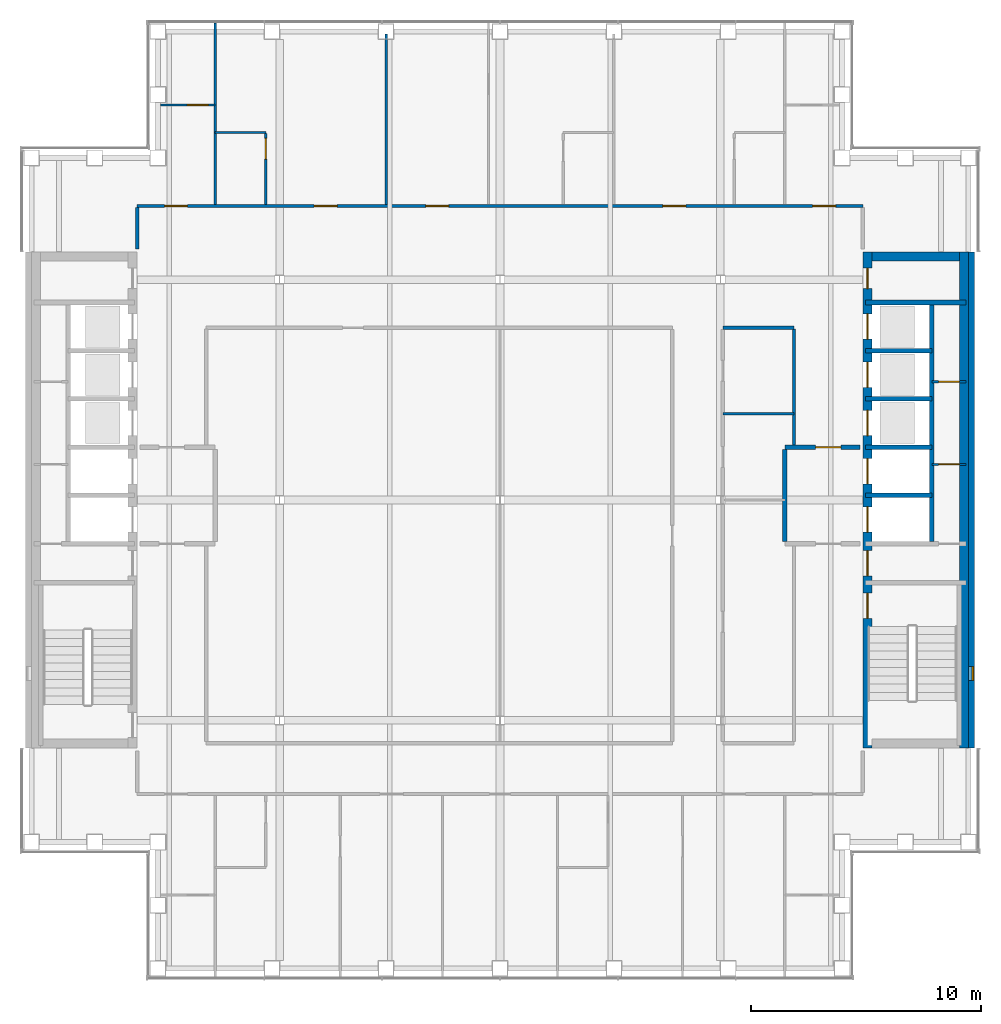
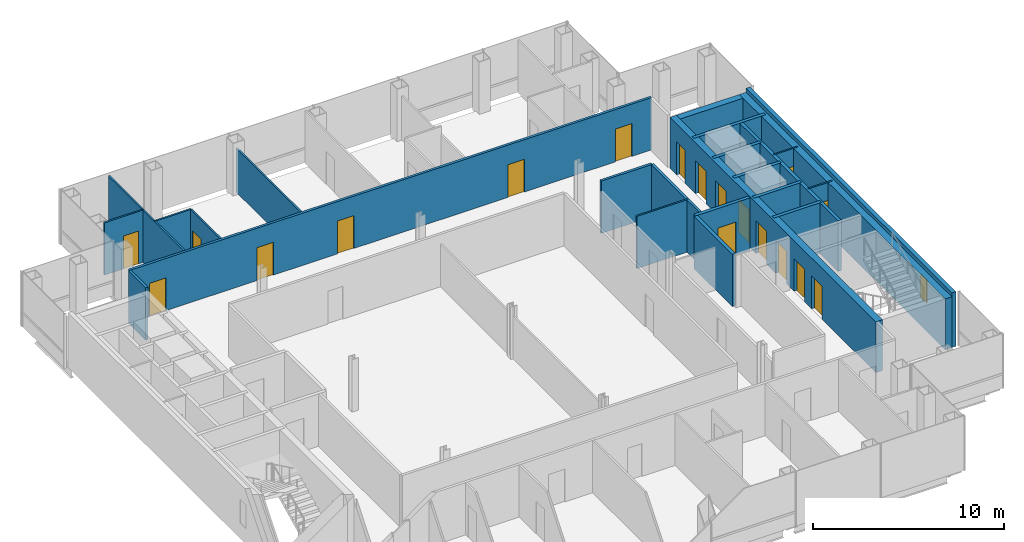
# One storey, part 12 of 15: 24 walls, 18 doors, 1 window, 19 openings.
"""IFC4 building model written with IfcOpenShell, lengths in metres."""

from ifc_helpers import new_model, si_unit, direction, frame, frame_2d, origin, place, context, subcontext, project, spatial, rectangle, extrude, material, layer, layer_set, type_object, element, fill, save


model = new_model("IFC4")

# Units and contexts
model_context = context("Model", 3, precision=1e-05, world=origin(), true_north=direction((0.0, 1.0)))
body_context = subcontext(model_context, "Body", "Model", "MODEL_VIEW")
ifc_project = project(units=[si_unit("LENGTHUNIT", "METRE"), si_unit("AREAUNIT", "SQUARE_METRE"), si_unit("VOLUMEUNIT", "CUBIC_METRE"), si_unit("PLANEANGLEUNIT", "RADIAN"), si_unit("MASSUNIT", "GRAM", prefix="KILO")], contexts=[model_context])

# Site, building, storey
site_placement = place(None, origin())
site = spatial("IfcSite", under=ifc_project, at=site_placement, CompositionType="ELEMENT")
building_placement = place(site_placement, origin())
building = spatial("IfcBuilding", under=site, at=building_placement, Name="Cobrizo Arcos Hotel Tower", CompositionType="ELEMENT")
storey_placement = place(building_placement, frame((0.0, 0.0, 194.5)))
storey = spatial("IfcBuildingStorey", under=building, at=storey_placement, Name="L50", CompositionType="ELEMENT", Elevation=194.5)

# Wall
ifc_material_1 = material(Name="Gypsum board partition")
ifc_layer_1 = layer(ifc_material_1, 0.14990234375)
ifc_layer_set_1 = layer_set([ifc_layer_1], Name="Corridor wall EI 60 150")
wall_type_1 = type_object("IfcWallType", Name="Corridor wall EI 60 150", PredefinedType="PARTITIONING", material=ifc_layer_set_1)
wall_1_placement = place(storey_placement, frame((9.699951171875, 7.5, 0.0), z_axis=(0.0, 0.0, 1.0), x_axis=(1.0, 0.0, 0.0)))
element("IfcWall", 1, at=wall_1_placement, inside=storey, type_object=wall_type_1, Name="Partition 031", PredefinedType="PARTITIONING", context=body_context, shape_type="SweptSolid", body=[
    extrude(rectangle(XDim=3.10009765625, YDim=0.14990234375, at=frame_2d((1.550048828125, 0.0))), origin(), (0.0, 0.0, 1.0), 3.35009765625),
])

# Wall, openings, doors
wall_2_placement = place(storey_placement, frame((-15.800048828125, 12.800048828125, 0.0), z_axis=(0.0, 0.0, 1.0), x_axis=(1.0, 0.0, 0.0)))
wall_2 = element("IfcWall", 2, at=wall_2_placement, inside=storey, type_object=wall_type_1, Name="Partition 034", PredefinedType="PARTITIONING", context=body_context, shape_type="SweptSolid", body=[
    extrude(rectangle(XDim=31.60009765625, YDim=0.14990234375, at=frame_2d((15.800048828125, 0.0))), origin(), (0.0, 0.0, 1.0), 3.35009765625),
])
opening_1_placement = place(wall_2_placement, frame((7.7080078125, 0.0, 0.0)))
opening_1 = element("IfcOpeningElement", 3, at=opening_1_placement, cuts=wall_2, Name="Opening GD-01", PredefinedType="OPENING", context=body_context, shape_type="SweptSolid", body=[
    extrude(rectangle(XDim=1.0, YDim=2.10009765625, at=frame_2d((0.5, 1.050048828125))), frame((0.0, 0.0869140625, 0.0), z_axis=(0.0, -1.0, 0.0), x_axis=(1.0, 0.0, 0.0)), (0.0, 0.0, 1.0), 0.173828125),
])
opening_2_placement = place(wall_2_placement, frame((12.568115234375, 0.0, 0.0)))
opening_2 = element("IfcOpeningElement", 4, at=opening_2_placement, cuts=wall_2, Name="Opening GD-02", PredefinedType="OPENING", context=body_context, shape_type="SweptSolid", body=[
    extrude(rectangle(XDim=1.0, YDim=2.10009765625, at=frame_2d((0.5, 1.050048828125))), frame((0.0, 0.0869140625, 0.0), z_axis=(0.0, -1.0, 0.0), x_axis=(1.0, 0.0, 0.0)), (0.0, 0.0, 1.0), 0.173828125),
])
opening_3_placement = place(wall_2_placement, frame((22.89208984375, 0.0, 0.0)))
opening_3 = element("IfcOpeningElement", 5, at=opening_3_placement, cuts=wall_2, Name="Opening GD-03", PredefinedType="OPENING", context=body_context, shape_type="SweptSolid", body=[
    extrude(rectangle(XDim=1.0, YDim=2.10009765625, at=frame_2d((0.5, 1.050048828125))), frame((0.0, 0.0869140625, 0.0), z_axis=(0.0, -1.0, 0.0), x_axis=(1.0, 0.0, 0.0)), (0.0, 0.0, 1.0), 0.173828125),
])
opening_4_placement = place(wall_2_placement, frame((1.19189453125, 0.0, 0.0)))
opening_4 = element("IfcOpeningElement", 6, at=opening_4_placement, cuts=wall_2, Name="Opening GD-07", PredefinedType="OPENING", context=body_context, shape_type="SweptSolid", body=[
    extrude(rectangle(XDim=1.0, YDim=2.10009765625, at=frame_2d((0.5, 1.050048828125))), frame((0.0, 0.0869140625, 0.0), z_axis=(0.0, -1.0, 0.0), x_axis=(1.0, 0.0, 0.0)), (0.0, 0.0, 1.0), 0.173828125),
])
opening_5_placement = place(wall_2_placement, frame((29.408935546875, 0.0, 0.0)))
opening_5 = element("IfcOpeningElement", 7, at=opening_5_placement, cuts=wall_2, Name="Opening GD-09", PredefinedType="OPENING", context=body_context, shape_type="SweptSolid", body=[
    extrude(rectangle(XDim=1.0, YDim=2.10009765625, at=frame_2d((0.5, 1.050048828125))), frame((0.0, 0.0869140625, 0.0), z_axis=(0.0, -1.0, 0.0), x_axis=(1.0, 0.0, 0.0)), (0.0, 0.0, 1.0), 0.173828125),
])
ifc_material_2 = material(Name="Timber door leaf", Category="wood")
door_type_1 = type_object("IfcDoorType", Name="Guest room door FD30S 1000x2100", OperationType="SINGLE_SWING_LEFT", PredefinedType="DOOR", material=ifc_material_2)
door_1_placement = place(opening_1_placement, origin())
door_1 = element("IfcDoor", 8, at=door_1_placement, inside=storey, type_object=door_type_1, Name="Door GD-01", OperationType="SINGLE_SWING_RIGHT", OverallHeight=2.10009765625, OverallWidth=1.0, PredefinedType="DOOR", context=body_context, shape_type="SweptSolid", body=[
    extrude(rectangle(XDim=1.0, YDim=2.10009765625, at=frame_2d((0.5, 1.050048828125))), frame((0.0, 0.02490234375, 0.0), z_axis=(0.0, -1.0, 0.0), x_axis=(1.0, 0.0, 0.0)), (0.0, 0.0, 1.0), 0.050048828125),
])
fill(opening_1, door_1)
door_2_placement = place(opening_2_placement, origin())
door_2 = element("IfcDoor", 9, at=door_2_placement, inside=storey, type_object=door_type_1, Name="Door GD-02", OperationType="SINGLE_SWING_LEFT", OverallHeight=2.10009765625, OverallWidth=1.0, PredefinedType="DOOR", context=body_context, shape_type="SweptSolid", body=[
    extrude(rectangle(XDim=1.0, YDim=2.10009765625, at=frame_2d((0.5, 1.050048828125))), frame((0.0, 0.02490234375, 0.0), z_axis=(0.0, -1.0, 0.0), x_axis=(1.0, 0.0, 0.0)), (0.0, 0.0, 1.0), 0.050048828125),
])
fill(opening_2, door_2)
door_3_placement = place(opening_3_placement, origin())
door_3 = element("IfcDoor", 10, at=door_3_placement, inside=storey, type_object=door_type_1, Name="Door GD-03", OperationType="SINGLE_SWING_RIGHT", OverallHeight=2.10009765625, OverallWidth=1.0, PredefinedType="DOOR", context=body_context, shape_type="SweptSolid", body=[
    extrude(rectangle(XDim=1.0, YDim=2.10009765625, at=frame_2d((0.5, 1.050048828125))), frame((0.0, 0.02490234375, 0.0), z_axis=(0.0, -1.0, 0.0), x_axis=(1.0, 0.0, 0.0)), (0.0, 0.0, 1.0), 0.050048828125),
])
fill(opening_3, door_3)
door_4_placement = place(opening_4_placement, origin())
door_4 = element("IfcDoor", 11, at=door_4_placement, inside=storey, type_object=door_type_1, Name="Door GD-07", OperationType="SINGLE_SWING_RIGHT", OverallHeight=2.10009765625, OverallWidth=1.0, PredefinedType="DOOR", context=body_context, shape_type="SweptSolid", body=[
    extrude(rectangle(XDim=1.0, YDim=2.10009765625, at=frame_2d((0.5, 1.050048828125))), frame((0.0, 0.02490234375, 0.0), z_axis=(0.0, -1.0, 0.0), x_axis=(1.0, 0.0, 0.0)), (0.0, 0.0, 1.0), 0.050048828125),
])
fill(opening_4, door_4)
door_5_placement = place(opening_5_placement, origin())
door_5 = element("IfcDoor", 12, at=door_5_placement, inside=storey, type_object=door_type_1, Name="Door GD-09", OperationType="SINGLE_SWING_RIGHT", OverallHeight=2.10009765625, OverallWidth=1.0, PredefinedType="DOOR", context=body_context, shape_type="SweptSolid", body=[
    extrude(rectangle(XDim=1.0, YDim=2.10009765625, at=frame_2d((0.5, 1.050048828125))), frame((0.0, 0.02490234375, 0.0), z_axis=(0.0, -1.0, 0.0), x_axis=(1.0, 0.0, 0.0)), (0.0, 0.0, 1.0), 0.050048828125),
])
fill(opening_5, door_5)

# Walls
wall_3_placement = place(storey_placement, frame((-15.800048828125, 10.919921875, 0.0), z_axis=(0.0, 0.0, 1.0), x_axis=(0.0, 1.0, 0.0)))
element("IfcWall", 13, at=wall_3_placement, inside=storey, type_object=wall_type_1, Name="Partition 043", PredefinedType="PARTITIONING", context=body_context, shape_type="SweptSolid", body=[
    extrude(rectangle(XDim=1.80517578125, YDim=0.14990234375, at=frame_2d((0.902587890625, 0.0))), origin(), (0.0, 0.0, 1.0), 3.35009765625),
])
wall_4_placement = place(storey_placement, frame((12.800048828125, 2.39990234375, 0.0), z_axis=(0.0, 0.0, 1.0), x_axis=(0.0, 1.0, 0.0)))
element("IfcWall", 14, at=wall_4_placement, inside=storey, type_object=wall_type_1, Name="Partition 076", PredefinedType="PARTITIONING", context=body_context, shape_type="SweptSolid", body=[
    extrude(rectangle(XDim=5.050048828125, YDim=0.14990234375, at=frame_2d((2.52490234375, 0.0))), origin(), (0.0, 0.0, 1.0), 3.35009765625),
])

# Wall, opening, window
ifc_material_3 = material(Name="Aluminium composite panel pale metal", Category="aluminium")
ifc_layer_2 = layer(ifc_material_3, 0.25)
ifc_layer_set_2 = layer_set([ifc_layer_2], Name="EW-1 insulated panel wall 250")
wall_type_2 = type_object("IfcWallType", Name="EW-1 insulated panel wall 250", PredefinedType="SOLIDWALL", material=ifc_layer_set_2)
wall_5_placement = place(storey_placement, frame((20.52490234375, -10.800048828125, 0.0), z_axis=(0.0, 0.0, 1.0), x_axis=(0.0, 1.0, 0.0)))
wall_5 = element("IfcWall", 15, at=wall_5_placement, inside=storey, type_object=wall_type_2, Name="Core face wall L50 E", PredefinedType="SOLIDWALL", context=body_context, shape_type="SweptSolid", body=[
    extrude(rectangle(XDim=21.60009765625, YDim=0.25, at=frame_2d((10.800048828125, 0.0))), origin(), (0.0, 0.0, 1.0), 3.5),
])
opening_6_placement = place(wall_5_placement, frame((2.949951171875, 0.0, 1.0)))
opening_6 = element("IfcOpeningElement", 16, at=opening_6_placement, cuts=wall_5, Name="Opening W-113", PredefinedType="OPENING", context=body_context, shape_type="SweptSolid", body=[
    extrude(rectangle(XDim=0.60009765625, YDim=1.5, at=frame_2d((0.300048828125, 0.75))), frame((0.0, 0.136962890625, 0.0), z_axis=(0.0, -1.0, 0.0), x_axis=(1.0, 0.0, 0.0)), (0.0, 0.0, 1.0), 0.27392578125),
])
ifc_material_4 = material(Name="Aluminium 6063-T6 and clear laminated glass", Category="aluminium")
window_type = type_object("IfcWindowType", Name="W-C1 core stair slot window 600x1500", PartitioningType="SINGLE_PANEL", PredefinedType="WINDOW", material=ifc_material_4)
window_placement = place(opening_6_placement, origin())
window = element("IfcWindow", 17, at=window_placement, inside=storey, type_object=window_type, Name="Core face wall L50 E window W-113", OverallHeight=1.5, OverallWidth=0.60009765625, PartitioningType="SINGLE_PANEL", PredefinedType="WINDOW", context=body_context, shape_type="SweptSolid", body=[
    extrude(rectangle(XDim=0.60009765625, YDim=1.5, at=frame_2d((0.300048828125, 0.75))), frame((0.0, -0.034912109375, 0.0), z_axis=(0.0, -1.0, 0.0), x_axis=(1.0, 0.0, 0.0)), (0.0, 0.0, 1.0), 0.06005859375),
])
fill(opening_6, window)

# Wall, opening, door
ifc_layer_3 = layer(ifc_material_1, 0.10009765625)
ifc_layer_set_3 = layer_set([ifc_layer_3], Name="Partition EI 30 100")
wall_type_3 = type_object("IfcWallType", Name="Partition EI 30 100", PredefinedType="PARTITIONING", material=ifc_layer_set_3)
wall_6_placement = place(storey_placement, frame((18.800048828125, 1.550048828125, 0.0), z_axis=(0.0, 0.0, 1.0), x_axis=(1.0, 0.0, 0.0)))
wall_6 = element("IfcWall", 18, at=wall_6_placement, inside=storey, type_object=wall_type_3, Name="Partition 018", PredefinedType="PARTITIONING", context=body_context, shape_type="SweptSolid", body=[
    extrude(rectangle(XDim=1.47998046875, YDim=0.10009765625, at=frame_2d((0.739990234375, 0.0))), origin(), (0.0, 0.0, 1.0), 3.25),
])
opening_7_placement = place(wall_6_placement, frame((0.300048828125, 0.0, 0.0)))
opening_7 = element("IfcOpeningElement", 19, at=opening_7_placement, cuts=wall_6, Name="Opening RD-07", PredefinedType="OPENING", context=body_context, shape_type="SweptSolid", body=[
    extrude(rectangle(XDim=0.89990234375, YDim=2.10009765625, at=frame_2d((0.449951171875, 1.050048828125))), frame((0.0, 0.06201171875, 0.0), z_axis=(0.0, -1.0, 0.0), x_axis=(1.0, 0.0, 0.0)), (0.0, 0.0, 1.0), 0.1240234375),
])
door_type_2 = type_object("IfcDoorType", Name="Room door FD30 900x2100", OperationType="SINGLE_SWING_LEFT", PredefinedType="DOOR", material=ifc_material_2)
door_6_placement = place(opening_7_placement, origin())
door_6 = element("IfcDoor", 20, at=door_6_placement, inside=storey, type_object=door_type_2, Name="Door RD-07", OperationType="SINGLE_SWING_LEFT", OverallHeight=2.10009765625, OverallWidth=0.89990234375, PredefinedType="DOOR", context=body_context, shape_type="SweptSolid", body=[
    extrude(rectangle(XDim=0.89990234375, YDim=2.10009765625, at=frame_2d((0.449951171875, 1.050048828125))), frame((0.0, 0.02490234375, 0.0), z_axis=(0.0, -1.0, 0.0), x_axis=(1.0, 0.0, 0.0)), (0.0, 0.0, 1.0), 0.050048828125),
])
fill(opening_7, door_6)

# Wall
wall_7_placement = place(storey_placement, frame((9.699951171875, 3.75, 0.0), z_axis=(0.0, 0.0, 1.0), x_axis=(1.0, 0.0, 0.0)))
element("IfcWall", 21, at=wall_7_placement, inside=storey, type_object=wall_type_3, Name="Partition 023", PredefinedType="PARTITIONING", context=body_context, shape_type="SweptSolid", body=[
    extrude(rectangle(XDim=3.10009765625, YDim=0.10009765625, at=frame_2d((1.550048828125, 0.0))), origin(), (0.0, 0.0, 1.0), 3.35009765625),
])

# Wall, opening, door
wall_8_placement = place(storey_placement, frame((18.800048828125, 5.14990234375, 0.0), z_axis=(0.0, 0.0, 1.0), x_axis=(1.0, 0.0, 0.0)))
wall_8 = element("IfcWall", 22, at=wall_8_placement, inside=storey, type_object=wall_type_3, Name="Partition 027", PredefinedType="PARTITIONING", context=body_context, shape_type="SweptSolid", body=[
    extrude(rectangle(XDim=1.47998046875, YDim=0.10009765625, at=frame_2d((0.739990234375, 0.0))), origin(), (0.0, 0.0, 1.0), 3.25),
])
opening_8_placement = place(wall_8_placement, frame((0.300048828125, 0.0, 0.0)))
opening_8 = element("IfcOpeningElement", 23, at=opening_8_placement, cuts=wall_8, Name="Opening RD-08", PredefinedType="OPENING", context=body_context, shape_type="SweptSolid", body=[
    extrude(rectangle(XDim=0.89990234375, YDim=2.10009765625, at=frame_2d((0.449951171875, 1.050048828125))), frame((0.0, 0.06201171875, 0.0), z_axis=(0.0, -1.0, 0.0), x_axis=(1.0, 0.0, 0.0)), (0.0, 0.0, 1.0), 0.1240234375),
])
door_7_placement = place(opening_8_placement, origin())
door_7 = element("IfcDoor", 24, at=door_7_placement, inside=storey, type_object=door_type_2, Name="Door RD-08", OperationType="SINGLE_SWING_RIGHT", OverallHeight=2.10009765625, OverallWidth=0.89990234375, PredefinedType="DOOR", context=body_context, shape_type="SweptSolid", body=[
    extrude(rectangle(XDim=0.89990234375, YDim=2.10009765625, at=frame_2d((0.449951171875, 1.050048828125))), frame((0.0, 0.02490234375, 0.0), z_axis=(0.0, -1.0, 0.0), x_axis=(1.0, 0.0, 0.0)), (0.0, 0.0, 1.0), 0.050048828125),
])
fill(opening_8, door_7)

# Wall
wall_9_placement = place(storey_placement, frame((-12.39990234375, 16.0, 0.0), z_axis=(0.0, 0.0, 1.0), x_axis=(1.0, 0.0, 0.0)))
element("IfcWall", 25, at=wall_9_placement, inside=storey, type_object=wall_type_3, Name="Partition 035", PredefinedType="PARTITIONING", context=body_context, shape_type="SweptSolid", body=[
    extrude(rectangle(XDim=2.199951171875, YDim=0.10009765625, at=frame_2d((1.10009765625, 0.0))), origin(), (0.0, 0.0, 1.0), 3.35009765625),
])

# Wall, opening, door
wall_10_placement = place(storey_placement, frame((-14.780029296875, 17.199951171875, 0.0), z_axis=(0.0, 0.0, 1.0), x_axis=(1.0, 0.0, 0.0)))
wall_10 = element("IfcWall", 26, at=wall_10_placement, inside=storey, type_object=wall_type_3, Name="Partition 038", PredefinedType="PARTITIONING", context=body_context, shape_type="SweptSolid", body=[
    extrude(rectangle(XDim=2.380126953125, YDim=0.10009765625, at=frame_2d((1.18994140625, 0.0))), origin(), (0.0, 0.0, 1.0), 3.35009765625),
])
opening_9_placement = place(wall_10_placement, frame((1.16796875, 0.0, 0.0)))
opening_9 = element("IfcOpeningElement", 27, at=opening_9_placement, cuts=wall_10, Name="Opening ED-07", PredefinedType="OPENING", context=body_context, shape_type="SweptSolid", body=[
    extrude(rectangle(XDim=0.89990234375, YDim=2.10009765625, at=frame_2d((0.449951171875, 1.050048828125))), frame((0.0, 0.06201171875, 0.0), z_axis=(0.0, -1.0, 0.0), x_axis=(1.0, 0.0, 0.0)), (0.0, 0.0, 1.0), 0.1240234375),
])
door_type_3 = type_object("IfcDoorType", Name="En-suite door 900x2100", OperationType="SINGLE_SWING_LEFT", PredefinedType="DOOR", material=ifc_material_2)
door_8_placement = place(opening_9_placement, origin())
door_8 = element("IfcDoor", 28, at=door_8_placement, inside=storey, type_object=door_type_3, Name="Door ED-07", OperationType="SINGLE_SWING_LEFT", OverallHeight=2.10009765625, OverallWidth=0.89990234375, PredefinedType="DOOR", context=body_context, shape_type="SweptSolid", body=[
    extrude(rectangle(XDim=0.89990234375, YDim=2.10009765625, at=frame_2d((0.449951171875, 1.050048828125))), frame((0.0, 0.02490234375, 0.0), z_axis=(0.0, -1.0, 0.0), x_axis=(1.0, 0.0, 0.0)), (0.0, 0.0, 1.0), 0.050048828125),
])
fill(opening_9, door_8)

# Wall
wall_11_placement = place(storey_placement, frame((-12.39990234375, 12.875, 0.0), z_axis=(0.0, 0.0, 1.0), x_axis=(0.0, 1.0, 0.0)))
element("IfcWall", 29, at=wall_11_placement, inside=storey, type_object=wall_type_3, Name="Partition 048", PredefinedType="PARTITIONING", context=body_context, shape_type="SweptSolid", body=[
    extrude(rectangle(XDim=7.905029296875, YDim=0.10009765625, at=frame_2d((3.95263671875, 0.0))), origin(), (0.0, 0.0, 1.0), 3.35009765625),
])

# Wall, opening, door
wall_12_placement = place(storey_placement, frame((-10.199951171875, 12.875, 0.0), z_axis=(0.0, 0.0, 1.0), x_axis=(0.0, 1.0, 0.0)))
wall_12 = element("IfcWall", 30, at=wall_12_placement, inside=storey, type_object=wall_type_3, Name="Partition 050", PredefinedType="PARTITIONING", context=body_context, shape_type="SweptSolid", body=[
    extrude(rectangle(XDim=3.074951171875, YDim=0.10009765625, at=frame_2d((1.53759765625, 0.0))), origin(), (0.0, 0.0, 1.0), 3.35009765625),
])
opening_10_placement = place(wall_12_placement, frame((1.970947265625, 0.0, 0.0)))
opening_10 = element("IfcOpeningElement", 31, at=opening_10_placement, cuts=wall_12, Name="Opening ED-01", PredefinedType="OPENING", context=body_context, shape_type="SweptSolid", body=[
    extrude(rectangle(XDim=0.89990234375, YDim=2.10009765625, at=frame_2d((0.449951171875, 1.050048828125))), frame((0.0, 0.06201171875, 0.0), z_axis=(0.0, -1.0, 0.0), x_axis=(1.0, 0.0, 0.0)), (0.0, 0.0, 1.0), 0.1240234375),
])
door_9_placement = place(opening_10_placement, origin())
door_9 = element("IfcDoor", 32, at=door_9_placement, inside=storey, type_object=door_type_3, Name="Door ED-01", OperationType="SINGLE_SWING_LEFT", OverallHeight=2.10009765625, OverallWidth=0.89990234375, PredefinedType="DOOR", context=body_context, shape_type="SweptSolid", body=[
    extrude(rectangle(XDim=0.89990234375, YDim=2.10009765625, at=frame_2d((0.449951171875, 1.050048828125))), frame((0.0, 0.02490234375, 0.0), z_axis=(0.0, -1.0, 0.0), x_axis=(1.0, 0.0, 0.0)), (0.0, 0.0, 1.0), 0.050048828125),
])
fill(opening_10, door_9)

# Wall
wall_13_placement = place(storey_placement, frame((-4.949951171875, 12.875, 0.0), z_axis=(0.0, 0.0, 1.0), x_axis=(0.0, 1.0, 0.0)))
element("IfcWall", 33, at=wall_13_placement, inside=storey, type_object=wall_type_3, Name="Partition 052", PredefinedType="PARTITIONING", context=body_context, shape_type="SweptSolid", body=[
    extrude(rectangle(XDim=7.405029296875, YDim=0.10009765625, at=frame_2d((3.70263671875, 0.0))), origin(), (0.0, 0.0, 1.0), 2.81689453125),
])

# Wall, openings, doors
ifc_material_5 = material(Name="Concrete f'c 40 MPa", Category="concrete")
ifc_layer_4 = layer(ifc_material_5, 0.39990234375)
ifc_layer_set_4 = layer_set([ifc_layer_4], Name="RC core wall 400 f'c 40")
wall_type_4 = type_object("IfcWallType", Name="RC core wall 400 f'c 40", PredefinedType="SHEAR", material=ifc_layer_set_4)
wall_14_placement = place(storey_placement, frame((16.0, -10.800048828125, 0.0), z_axis=(0.0, 0.0, 1.0), x_axis=(0.0, 1.0, 0.0)))
wall_14 = element("IfcWall", 34, at=wall_14_placement, inside=storey, type_object=wall_type_4, Name="Core wall CW4, east core, inner face, L50", PredefinedType="SHEAR", context=body_context, shape_type="SweptSolid", body=[
    extrude(rectangle(XDim=21.60009765625, YDim=0.39990234375, at=frame_2d((10.800048828125, 0.0))), origin(), (0.0, 0.0, 1.0), 3.25),
])
opening_11_placement = place(wall_14_placement, frame((9.39990234375, 0.0, 0.0)))
opening_11 = element("IfcOpeningElement", 35, at=opening_11_placement, cuts=wall_14, Name="Opening LD-06", PredefinedType="OPENING", context=body_context, shape_type="SweptSolid", body=[
    extrude(rectangle(XDim=1.10009765625, YDim=2.10009765625, at=frame_2d((0.550048828125, 1.050048828125))), frame((0.0, 0.2119140625, 0.0), z_axis=(0.0, -1.0, 0.0), x_axis=(1.0, 0.0, 0.0)), (0.0, 0.0, 1.0), 0.423828125),
])
opening_12_placement = place(wall_14_placement, frame((11.5, 0.0, 0.0)))
opening_12 = element("IfcOpeningElement", 36, at=opening_12_placement, cuts=wall_14, Name="Opening LD-07", PredefinedType="OPENING", context=body_context, shape_type="SweptSolid", body=[
    extrude(rectangle(XDim=1.10009765625, YDim=2.10009765625, at=frame_2d((0.550048828125, 1.050048828125))), frame((0.0, 0.2119140625, 0.0), z_axis=(0.0, -1.0, 0.0), x_axis=(1.0, 0.0, 0.0)), (0.0, 0.0, 1.0), 0.423828125),
])
opening_13_placement = place(wall_14_placement, frame((13.60009765625, 0.0, 0.0)))
opening_13 = element("IfcOpeningElement", 37, at=opening_13_placement, cuts=wall_14, Name="Opening LD-08", PredefinedType="OPENING", context=body_context, shape_type="SweptSolid", body=[
    extrude(rectangle(XDim=1.10009765625, YDim=2.10009765625, at=frame_2d((0.550048828125, 1.050048828125))), frame((0.0, 0.2119140625, 0.0), z_axis=(0.0, -1.0, 0.0), x_axis=(1.0, 0.0, 0.0)), (0.0, 0.0, 1.0), 0.423828125),
])
opening_14_placement = place(wall_14_placement, frame((15.699951171875, 0.0, 0.0)))
opening_14 = element("IfcOpeningElement", 38, at=opening_14_placement, cuts=wall_14, Name="Opening LD-09", PredefinedType="OPENING", context=body_context, shape_type="SweptSolid", body=[
    extrude(rectangle(XDim=1.10009765625, YDim=2.10009765625, at=frame_2d((0.550048828125, 1.050048828125))), frame((0.0, 0.2119140625, 0.0), z_axis=(0.0, -1.0, 0.0), x_axis=(1.0, 0.0, 0.0)), (0.0, 0.0, 1.0), 0.423828125),
])
opening_15_placement = place(wall_14_placement, frame((17.800048828125, 0.0, 0.0)))
opening_15 = element("IfcOpeningElement", 39, at=opening_15_placement, cuts=wall_14, Name="Opening LD-10", PredefinedType="OPENING", context=body_context, shape_type="SweptSolid", body=[
    extrude(rectangle(XDim=1.10009765625, YDim=2.10009765625, at=frame_2d((0.550048828125, 1.050048828125))), frame((0.0, 0.2119140625, 0.0), z_axis=(0.0, -1.0, 0.0), x_axis=(1.0, 0.0, 0.0)), (0.0, 0.0, 1.0), 0.423828125),
])
opening_16_placement = place(wall_14_placement, frame((5.64208984375, 0.0, 0.0)))
opening_16 = element("IfcOpeningElement", 40, at=opening_16_placement, cuts=wall_14, Name="Opening SD-02", PredefinedType="OPENING", context=body_context, shape_type="SweptSolid", body=[
    extrude(rectangle(XDim=1.10009765625, YDim=2.10009765625, at=frame_2d((0.550048828125, 1.050048828125))), frame((0.0, 0.2119140625, 0.0), z_axis=(0.0, -1.0, 0.0), x_axis=(1.0, 0.0, 0.0)), (0.0, 0.0, 1.0), 0.423828125),
])
opening_17_placement = place(wall_14_placement, frame((7.5, 0.0, 0.0)))
opening_17 = element("IfcOpeningElement", 41, at=opening_17_placement, cuts=wall_14, Name="Opening FD-04", PredefinedType="OPENING", context=body_context, shape_type="SweptSolid", body=[
    extrude(rectangle(XDim=1.10009765625, YDim=2.10009765625, at=frame_2d((0.550048828125, 1.050048828125))), frame((0.0, 0.2119140625, 0.0), z_axis=(0.0, -1.0, 0.0), x_axis=(1.0, 0.0, 0.0)), (0.0, 0.0, 1.0), 0.423828125),
])
opening_18_placement = place(wall_14_placement, frame((20.0, 0.0, 0.0)))
opening_18 = element("IfcOpeningElement", 42, at=opening_18_placement, cuts=wall_14, Name="Opening RD-05", PredefinedType="OPENING", context=body_context, shape_type="SweptSolid", body=[
    extrude(rectangle(XDim=0.89990234375, YDim=2.10009765625, at=frame_2d((0.449951171875, 1.050048828125))), frame((0.0, 0.2119140625, 0.0), z_axis=(0.0, -1.0, 0.0), x_axis=(1.0, 0.0, 0.0)), (0.0, 0.0, 1.0), 0.423828125),
])
ifc_material_6 = material(Name="Steel door leaf", Category="steel")
door_type_4 = type_object("IfcDoorType", Name="Fire door FD60 1100x2100", OperationType="SINGLE_SWING_LEFT", PredefinedType="DOOR", material=ifc_material_6)
door_10_placement = place(opening_17_placement, origin())
door_10 = element("IfcDoor", 43, at=door_10_placement, inside=storey, type_object=door_type_4, Name="Door FD-04", OperationType="SINGLE_SWING_LEFT", OverallHeight=2.10009765625, OverallWidth=1.10009765625, PredefinedType="DOOR", context=body_context, shape_type="SweptSolid", body=[
    extrude(rectangle(XDim=1.10009765625, YDim=2.10009765625, at=frame_2d((0.550048828125, 1.050048828125))), frame((0.0, 0.02490234375, 0.0), z_axis=(0.0, -1.0, 0.0), x_axis=(1.0, 0.0, 0.0)), (0.0, 0.0, 1.0), 0.050048828125),
])
fill(opening_17, door_10)
door_type_5 = type_object("IfcDoorType", Name="Lift landing door 1100x2100", OperationType="SLIDING_TO_LEFT", PredefinedType="DOOR", material=ifc_material_6)
door_11_placement = place(opening_11_placement, origin())
door_11 = element("IfcDoor", 44, at=door_11_placement, inside=storey, type_object=door_type_5, Name="Lift landing door LD-06", OperationType="SLIDING_TO_LEFT", OverallHeight=2.10009765625, OverallWidth=1.10009765625, PredefinedType="DOOR", context=body_context, shape_type="SweptSolid", body=[
    extrude(rectangle(XDim=1.10009765625, YDim=2.10009765625, at=frame_2d((0.550048828125, 1.050048828125))), frame((0.0, 0.02490234375, 0.0), z_axis=(0.0, -1.0, 0.0), x_axis=(1.0, 0.0, 0.0)), (0.0, 0.0, 1.0), 0.050048828125),
])
fill(opening_11, door_11)
door_12_placement = place(opening_12_placement, origin())
door_12 = element("IfcDoor", 45, at=door_12_placement, inside=storey, type_object=door_type_5, Name="Lift landing door LD-07", OperationType="SLIDING_TO_LEFT", OverallHeight=2.10009765625, OverallWidth=1.10009765625, PredefinedType="DOOR", context=body_context, shape_type="SweptSolid", body=[
    extrude(rectangle(XDim=1.10009765625, YDim=2.10009765625, at=frame_2d((0.550048828125, 1.050048828125))), frame((0.0, 0.02490234375, 0.0), z_axis=(0.0, -1.0, 0.0), x_axis=(1.0, 0.0, 0.0)), (0.0, 0.0, 1.0), 0.050048828125),
])
fill(opening_12, door_12)
door_13_placement = place(opening_13_placement, origin())
door_13 = element("IfcDoor", 46, at=door_13_placement, inside=storey, type_object=door_type_5, Name="Lift landing door LD-08", OperationType="SLIDING_TO_LEFT", OverallHeight=2.10009765625, OverallWidth=1.10009765625, PredefinedType="DOOR", context=body_context, shape_type="SweptSolid", body=[
    extrude(rectangle(XDim=1.10009765625, YDim=2.10009765625, at=frame_2d((0.550048828125, 1.050048828125))), frame((0.0, 0.02490234375, 0.0), z_axis=(0.0, -1.0, 0.0), x_axis=(1.0, 0.0, 0.0)), (0.0, 0.0, 1.0), 0.050048828125),
])
fill(opening_13, door_13)
door_14_placement = place(opening_14_placement, origin())
door_14 = element("IfcDoor", 47, at=door_14_placement, inside=storey, type_object=door_type_5, Name="Lift landing door LD-09", OperationType="SLIDING_TO_LEFT", OverallHeight=2.10009765625, OverallWidth=1.10009765625, PredefinedType="DOOR", context=body_context, shape_type="SweptSolid", body=[
    extrude(rectangle(XDim=1.10009765625, YDim=2.10009765625, at=frame_2d((0.550048828125, 1.050048828125))), frame((0.0, 0.02490234375, 0.0), z_axis=(0.0, -1.0, 0.0), x_axis=(1.0, 0.0, 0.0)), (0.0, 0.0, 1.0), 0.050048828125),
])
fill(opening_14, door_14)
door_15_placement = place(opening_15_placement, origin())
door_15 = element("IfcDoor", 48, at=door_15_placement, inside=storey, type_object=door_type_5, Name="Lift landing door LD-10", OperationType="SLIDING_TO_LEFT", OverallHeight=2.10009765625, OverallWidth=1.10009765625, PredefinedType="DOOR", context=body_context, shape_type="SweptSolid", body=[
    extrude(rectangle(XDim=1.10009765625, YDim=2.10009765625, at=frame_2d((0.550048828125, 1.050048828125))), frame((0.0, 0.02490234375, 0.0), z_axis=(0.0, -1.0, 0.0), x_axis=(1.0, 0.0, 0.0)), (0.0, 0.0, 1.0), 0.050048828125),
])
fill(opening_15, door_15)
door_16_placement = place(opening_18_placement, origin())
door_16 = element("IfcDoor", 49, at=door_16_placement, inside=storey, type_object=door_type_2, Name="Door RD-05", OperationType="SINGLE_SWING_RIGHT", OverallHeight=2.10009765625, OverallWidth=0.89990234375, PredefinedType="DOOR", context=body_context, shape_type="SweptSolid", body=[
    extrude(rectangle(XDim=0.89990234375, YDim=2.10009765625, at=frame_2d((0.449951171875, 1.050048828125))), frame((0.0, 0.02490234375, 0.0), z_axis=(0.0, -1.0, 0.0), x_axis=(1.0, 0.0, 0.0)), (0.0, 0.0, 1.0), 0.050048828125),
])
fill(opening_18, door_16)
door_type_6 = type_object("IfcDoorType", Name="Stair door FD60S 1100x2100", OperationType="SINGLE_SWING_LEFT", PredefinedType="DOOR", material=ifc_material_6)
door_17_placement = place(opening_16_placement, origin())
door_17 = element("IfcDoor", 50, at=door_17_placement, inside=storey, type_object=door_type_6, Name="Door SD-02", OperationType="SINGLE_SWING_LEFT", OverallHeight=2.10009765625, OverallWidth=1.10009765625, PredefinedType="DOOR", context=body_context, shape_type="SweptSolid", body=[
    extrude(rectangle(XDim=1.10009765625, YDim=2.10009765625, at=frame_2d((0.550048828125, 1.050048828125))), frame((0.0, 0.02490234375, 0.0), z_axis=(0.0, -1.0, 0.0), x_axis=(1.0, 0.0, 0.0)), (0.0, 0.0, 1.0), 0.050048828125),
])
fill(opening_16, door_17)

# Walls
wall_15_placement = place(storey_placement, frame((20.199951171875, -10.800048828125, 0.0), z_axis=(0.0, 0.0, 1.0), x_axis=(0.0, 1.0, 0.0)))
element("IfcWall", 51, at=wall_15_placement, inside=storey, type_object=wall_type_4, Name="Core wall CW4, east core, outer face, L50", PredefinedType="SHEAR", context=body_context, shape_type="SweptSolid", body=[
    extrude(rectangle(XDim=21.60009765625, YDim=0.39990234375, at=frame_2d((10.800048828125, 0.0))), origin(), (0.0, 0.0, 1.0), 3.25),
])
wall_16_placement = place(storey_placement, frame((16.199951171875, 10.60009765625, 0.0), z_axis=(0.0, 0.0, 1.0), x_axis=(1.0, 0.0, 0.0)))
element("IfcWall", 52, at=wall_16_placement, inside=storey, type_object=wall_type_4, Name="Core wall CW4, east core, north end, L50", PredefinedType="SHEAR", context=body_context, shape_type="SweptSolid", body=[
    extrude(rectangle(XDim=3.800048828125, YDim=0.39990234375, at=frame_2d((1.89990234375, 0.0))), origin(), (0.0, 0.0, 1.0), 3.25),
])
ifc_layer_5 = layer(ifc_material_1, 0.199951171875)
ifc_layer_set_5 = layer_set([ifc_layer_5], Name="Shaft wall EI 120 200")
wall_type_5 = type_object("IfcWallType", Name="Shaft wall EI 120 200", PredefinedType="PARTITIONING", material=ifc_layer_set_5)
wall_17_placement = place(storey_placement, frame((15.919921875, 0.199951171875, 0.0), z_axis=(0.0, 0.0, 1.0), x_axis=(1.0, 0.0, 0.0)))
element("IfcWall", 53, at=wall_17_placement, inside=storey, type_object=wall_type_5, Name="Partition 016", PredefinedType="PARTITIONING", context=body_context, shape_type="SweptSolid", body=[
    extrude(rectangle(XDim=2.880126953125, YDim=0.199951171875, at=frame_2d((1.43994140625, 0.0))), origin(), (0.0, 0.0, 1.0), 3.25),
])

# Wall, opening, door
wall_18_placement = place(storey_placement, frame((12.39990234375, 2.300048828125, 0.0), z_axis=(0.0, 0.0, 1.0), x_axis=(1.0, 0.0, 0.0)))
wall_18 = element("IfcWall", 54, at=wall_18_placement, inside=storey, type_object=wall_type_5, Name="Partition 021", PredefinedType="PARTITIONING", context=body_context, shape_type="SweptSolid", body=[
    extrude(rectangle(XDim=3.280029296875, YDim=0.199951171875, at=frame_2d((1.64013671875, 0.0))), origin(), (0.0, 0.0, 1.0), 3.35009765625),
])
opening_19_placement = place(wall_18_placement, frame((1.340087890625, 0.0, 0.0)))
opening_19 = element("IfcOpeningElement", 55, at=opening_19_placement, cuts=wall_18, Name="Opening FD-05", PredefinedType="OPENING", context=body_context, shape_type="SweptSolid", body=[
    extrude(rectangle(XDim=1.10009765625, YDim=2.10009765625, at=frame_2d((0.550048828125, 1.050048828125))), frame((0.0, 0.112060546875, 0.0), z_axis=(0.0, -1.0, 0.0), x_axis=(1.0, 0.0, 0.0)), (0.0, 0.0, 1.0), 0.223876953125),
])
door_18_placement = place(opening_19_placement, origin())
door_18 = element("IfcDoor", 56, at=door_18_placement, inside=storey, type_object=door_type_4, Name="Door FD-05", OperationType="SINGLE_SWING_LEFT", OverallHeight=2.10009765625, OverallWidth=1.10009765625, PredefinedType="DOOR", context=body_context, shape_type="SweptSolid", body=[
    extrude(rectangle(XDim=1.10009765625, YDim=2.10009765625, at=frame_2d((0.550048828125, 1.050048828125))), frame((0.0, 0.02490234375, 0.0), z_axis=(0.0, -1.0, 0.0), x_axis=(1.0, 0.0, 0.0)), (0.0, 0.0, 1.0), 0.050048828125),
])
fill(opening_19, door_18)

# Walls
for number, where, z_axis, x_axis, name in (
    (57, (15.919921875, 2.300048828125, 0.0), (0.0, 0.0, 1.0), (1.0, 0.0, 0.0), "Partition 022"),
    (58, (15.919921875, 4.39990234375, 0.0), (0.0, 0.0, 1.0), (1.0, 0.0, 0.0), "Partition 025"),
    (59, (15.919921875, 6.5, 0.0), (0.0, 0.0, 1.0), (1.0, 0.0, 0.0), "Partition 029"),
):
    element("IfcWall", number, at=place(storey_placement, frame(where, z_axis=z_axis, x_axis=x_axis)), inside=storey, type_object=wall_type_5, Name=name, PredefinedType="PARTITIONING", context=body_context, shape_type="SweptSolid", body=[
        extrude(rectangle(XDim=2.880126953125, YDim=0.199951171875, at=frame_2d((1.43994140625, 0.0))), origin(), (0.0, 0.0, 1.0), 3.25),
    ])
wall_19_placement = place(storey_placement, frame((15.919921875, 8.60009765625, 0.0), z_axis=(0.0, 0.0, 1.0), x_axis=(1.0, 0.0, 0.0)))
element("IfcWall", 60, at=wall_19_placement, inside=storey, type_object=wall_type_5, Name="Partition 033", PredefinedType="PARTITIONING", context=body_context, shape_type="SweptSolid", body=[
    extrude(rectangle(XDim=4.360107421875, YDim=0.199951171875, at=frame_2d((2.18017578125, 0.0))), origin(), (0.0, 0.0, 1.0), 3.25),
])
wall_20_placement = place(storey_placement, frame((12.39990234375, -1.800048828125, 0.0), z_axis=(0.0, 0.0, 1.0), x_axis=(0.0, 1.0, 0.0)))
element("IfcWall", 61, at=wall_20_placement, inside=storey, type_object=wall_type_5, Name="Partition 073", PredefinedType="PARTITIONING", context=body_context, shape_type="SweptSolid", body=[
    extrude(rectangle(XDim=4.0, YDim=0.199951171875, at=frame_2d((2.0, 0.0))), origin(), (0.0, 0.0, 1.0), 3.35009765625),
])
wall_21_placement = place(storey_placement, frame((18.800048828125, -1.800048828125, 0.0), z_axis=(0.0, 0.0, 1.0), x_axis=(0.0, 1.0, 0.0)))
element("IfcWall", 62, at=wall_21_placement, inside=storey, type_object=wall_type_5, Name="Partition 079", PredefinedType="PARTITIONING", context=body_context, shape_type="SweptSolid", body=[
    extrude(rectangle(XDim=10.300048828125, YDim=0.199951171875, at=frame_2d((5.14990234375, 0.0))), origin(), (0.0, 0.0, 1.0), 3.25),
])

save(model, "model.ifc")
